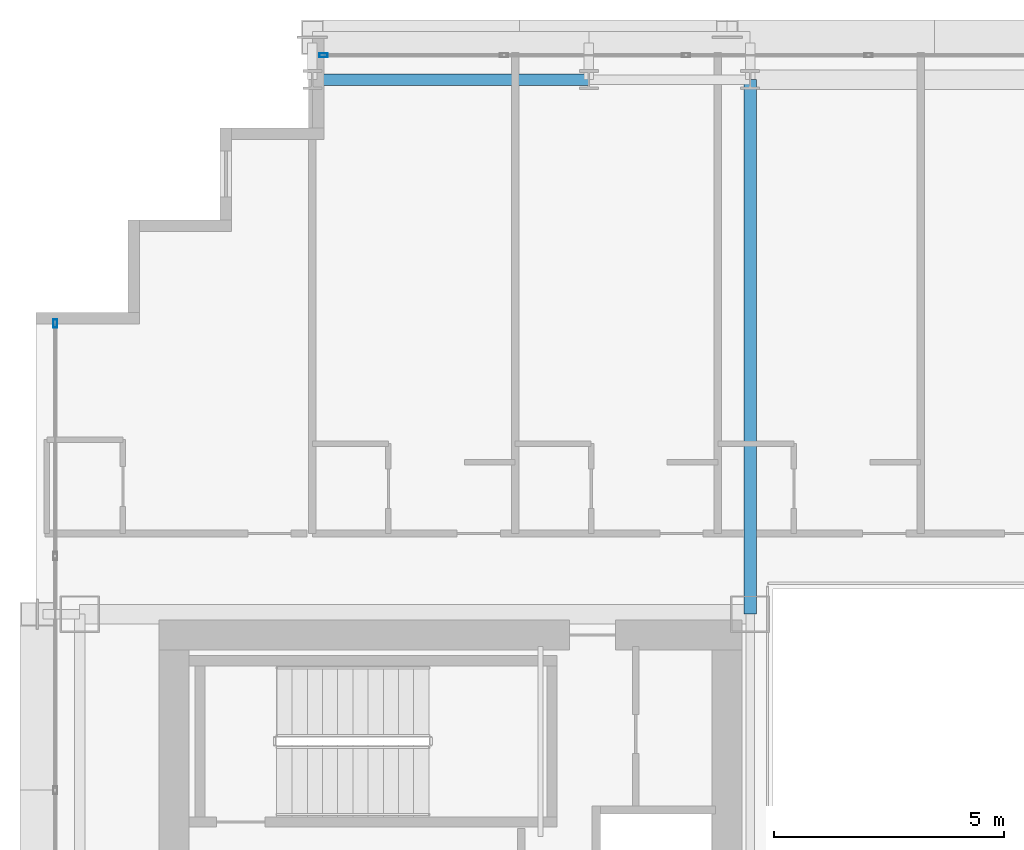
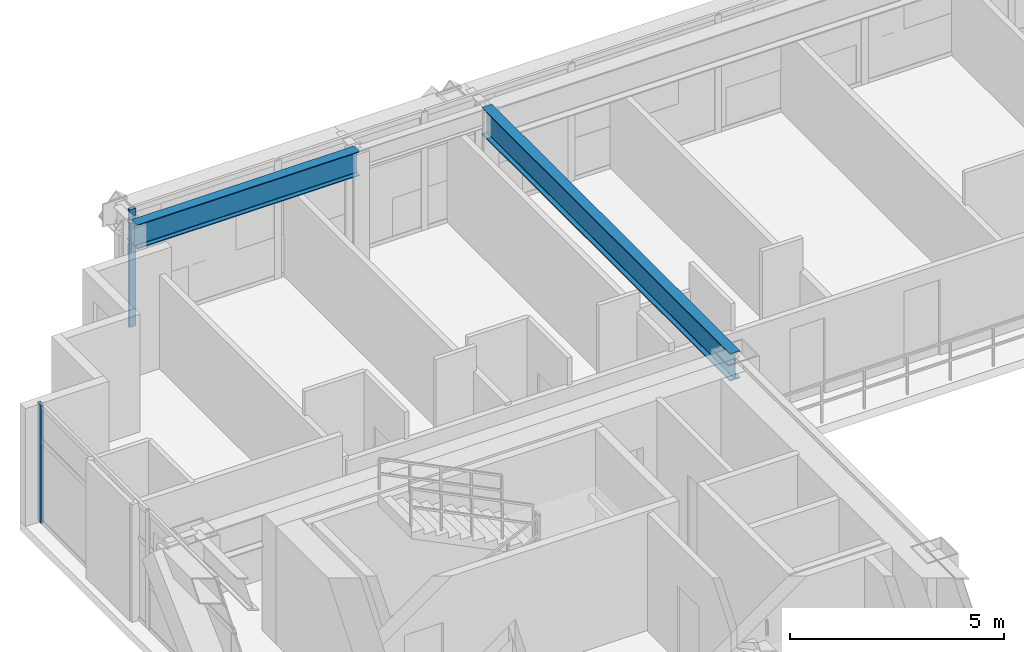
# One storey, part 17 of 36: 2 beams, 2 members, 2 elements without a shape of their own.
"""IFC4 building model written with IfcOpenShell, lengths in metres."""

from ifc_helpers import new_model, si_unit, direction, frame, origin, origin_2d, place, context, subcontext, project, spatial, hollow_rectangle, i_section, extrude, source, transform, mapped, material, layer, layer_set, material_profile, profile_set, type_object, element, aggregate, save


model = new_model("IFC4")

# Units and contexts
model_context = context("Model", 3, precision=1e-05, world=origin(), true_north=direction((0.0, 1.0)))
body_context = subcontext(model_context, "Body", "Model", "MODEL_VIEW")
ifc_project = project(units=[si_unit("LENGTHUNIT", "METRE"), si_unit("AREAUNIT", "SQUARE_METRE"), si_unit("VOLUMEUNIT", "CUBIC_METRE"), si_unit("PLANEANGLEUNIT", "RADIAN"), si_unit("MASSUNIT", "GRAM", prefix="KILO")], contexts=[model_context])

# Site, building, storey
site_placement = place(None, origin())
site = spatial("IfcSite", under=ifc_project, at=site_placement, CompositionType="ELEMENT")
building_placement = place(site_placement, origin())
building = spatial("IfcBuilding", under=site, at=building_placement, Name="Ocotamira Hotel", CompositionType="ELEMENT")
storey_placement = place(building_placement, frame((0.0, 0.0, 129.60009765625)))
storey = spatial("IfcBuildingStorey", under=building, at=storey_placement, Name="L32", CompositionType="ELEMENT", Elevation=129.60009765625)

# Beams
ifc_material_1 = material(Name="Steel ASTM A992 Grade 50", Category="steel")
ifc_material_profile_1 = material_profile(ifc_material_1, i_section(OverallWidth=0.256103515625, OverallDepth=0.693115234375, WebThickness=0.014404296875, FlangeThickness=0.023681640625, FilletRadius=0.01611328125, at=origin_2d()), Name="W27X114")
ifc_profile_set_1 = profile_set([ifc_material_profile_1], Name="Steel ASTM A992 Grade 50")
beam_type_1 = type_object("IfcBeamType", Name="BM-PRIM-W27X114", PredefinedType="BEAM", material=ifc_profile_set_1)
shared_shape_1 = source(origin(), body_context, "Body", "SweptSolid", [
    extrude(i_section(OverallWidth=0.256103515625, OverallDepth=0.693115234375, WebThickness=0.014404296875, FlangeThickness=0.023681640625, FilletRadius=0.01611328125, at=origin_2d()), origin(), (0.0, 0.0, 1.0), 6.0),
])
beam_1_placement = place(storey_placement, frame((14.0, 49.050048828125, 3.013427734375), z_axis=(1.0, 0.0, 0.0), x_axis=(0.0, 1.0, 0.0)))
element("IfcBeam", 1, at=beam_1_placement, inside=storey, type_object=beam_type_1, Name="L32 Girder Y49.05 X14-20", PredefinedType="BEAM", context=body_context, shape_type="MappedRepresentation", body=[
    mapped(shared_shape_1, transform((0.0, 0.0, 0.0), scale=1.0)),
])
ifc_material_profile_2 = material_profile(ifc_material_1, i_section(OverallWidth=0.26611328125, OverallDepth=0.779052734375, WebThickness=0.0166015625, FlangeThickness=0.030029296875, FilletRadius=0.01806640625, at=origin_2d()), Name="W30X148")
ifc_profile_set_2 = profile_set([ifc_material_profile_2], Name="Steel ASTM A992 Grade 50")
beam_type_2 = type_object("IfcBeamType", Name="BM-GIRD-W30X148", PredefinedType="BEAM", material=ifc_profile_set_2)
shared_shape_2 = source(origin(), body_context, "Body", "SweptSolid", [
    extrude(i_section(OverallWidth=0.26611328125, OverallDepth=0.779052734375, WebThickness=0.0166015625, FlangeThickness=0.030029296875, FilletRadius=0.01806640625, at=origin_2d()), origin(), (0.0, 0.0, 1.0), 11.60009765625),
])
beam_2_placement = place(storey_placement, frame((23.5, 37.449951171875, 2.970458984375), z_axis=(0.0, 1.0, 0.0), x_axis=(-1.0, 0.0, 0.0)))
element("IfcBeam", 2, at=beam_2_placement, inside=storey, type_object=beam_type_2, Name="L32 Beam X23.5 Y37.45-49.05", PredefinedType="BEAM", context=body_context, shape_type="MappedRepresentation", body=[
    mapped(shared_shape_2, transform((0.0, 0.0, 0.0), scale=1.0)),
])

# Curtain wall, member
ifc_material_2 = material(Name="Anodised pale-metal aluminium and solar glass", Category="aluminium")
ifc_layer = layer(ifc_material_2, 0.179931640625)
ifc_layer_set = layer_set([ifc_layer], Name="Anodised pale-metal aluminium and solar glass")
curtain_wall_type = type_object("IfcCurtainWallType", Name="CW-SYS3-Z2", PredefinedType="NOTDEFINED", material=ifc_layer_set)
curtain_wall_1_placement = place(storey_placement, origin())
curtain_wall_1 = element("IfcCurtainWall", 3, at=curtain_wall_1_placement, inside=storey, type_object=curtain_wall_type, Name="L32 Curtain Wall CW-3 CW-L32-N", PredefinedType="NOTDEFINED")
ifc_material_3 = material(Name="Anodised pale-metal aluminium 6063-T6", Category="aluminium")
ifc_material_profile_3 = material_profile(ifc_material_3, hollow_rectangle(XDim=0.080078125, YDim=0.179931640625, WallThickness=0.006103515625, at=origin_2d()), Name="HSS180X80X6")
ifc_profile_set_3 = profile_set([ifc_material_profile_3], Name="Anodised pale-metal aluminium 6063-T6")
member_type = type_object("IfcMemberType", Name="CWM-180X75", PredefinedType="MULLION", material=ifc_profile_set_3)
shared_shape_3 = source(origin(), body_context, "Body", "SweptSolid", [
    extrude(hollow_rectangle(XDim=0.080078125, YDim=0.179931640625, WallThickness=0.006103515625, at=origin_2d()), origin(), (0.0, 0.0, 1.0), 3.35986328125),
])
member_1_placement = place(storey_placement, frame((14.239990234375, 49.580078125, 0.0), z_axis=(0.0, 0.0, 1.0), x_axis=(0.0, 1.0, 0.0)))
member_1 = element("IfcMember", 4, at=member_1_placement, type_object=member_type, Name="CW-3 mullion 1", PredefinedType="MULLION", context=body_context, shape_type="MappedRepresentation", body=[
    mapped(shared_shape_3, transform((0.0, 0.0, 0.0), scale=1.0)),
])
aggregate(curtain_wall_1, [member_1])

curtain_wall_2_placement = place(storey_placement, origin())
curtain_wall_2 = element("IfcCurtainWall", 5, at=curtain_wall_2_placement, inside=storey, type_object=curtain_wall_type, Name="L32 Curtain Wall CW-3 CW-L32-W", PredefinedType="NOTDEFINED")
member_2_placement = place(storey_placement, frame((8.419921875, 43.760009765625, 0.0), z_axis=(0.0, 0.0, 1.0), x_axis=(-1.0, 0.0, 0.0)))
member_2 = element("IfcMember", 6, at=member_2_placement, type_object=member_type, Name="CW-3 mullion 8", PredefinedType="MULLION", context=body_context, shape_type="MappedRepresentation", body=[
    mapped(shared_shape_3, transform((0.0, 0.0, 0.0), scale=1.0)),
])
aggregate(curtain_wall_2, [member_2])

save(model, "model.ifc")
